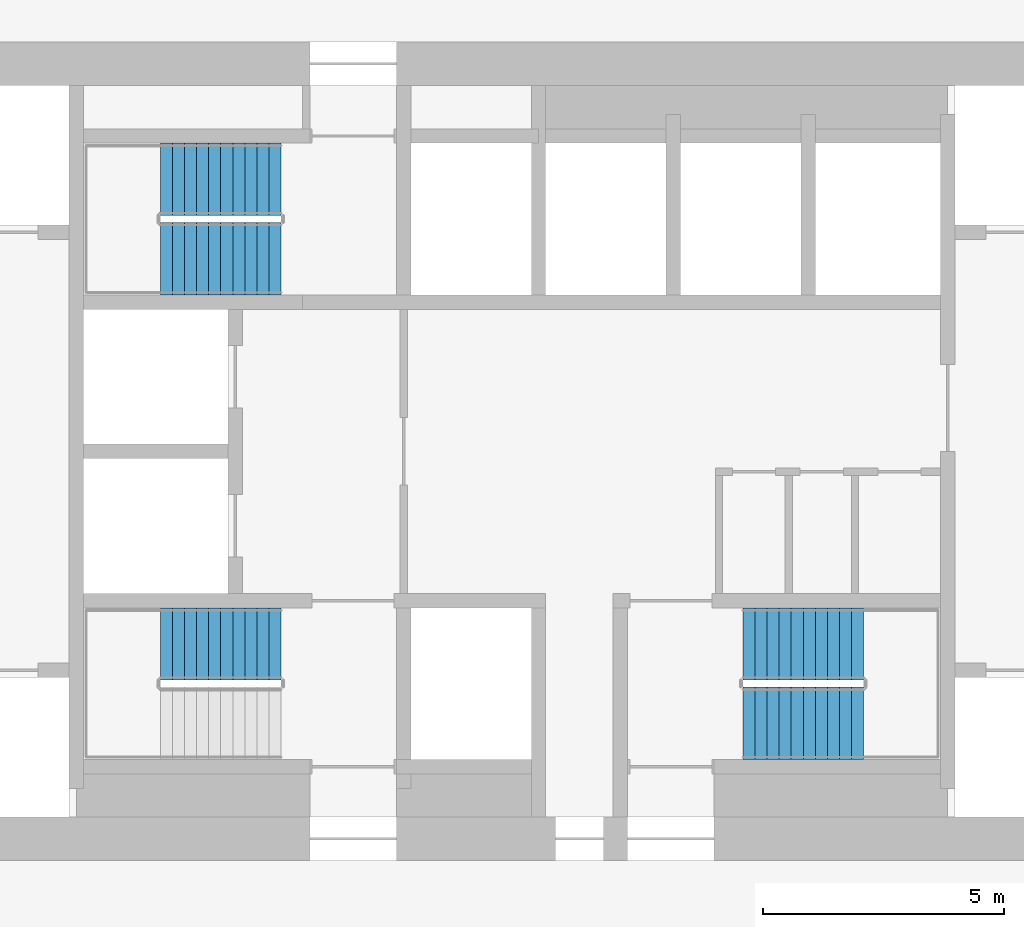
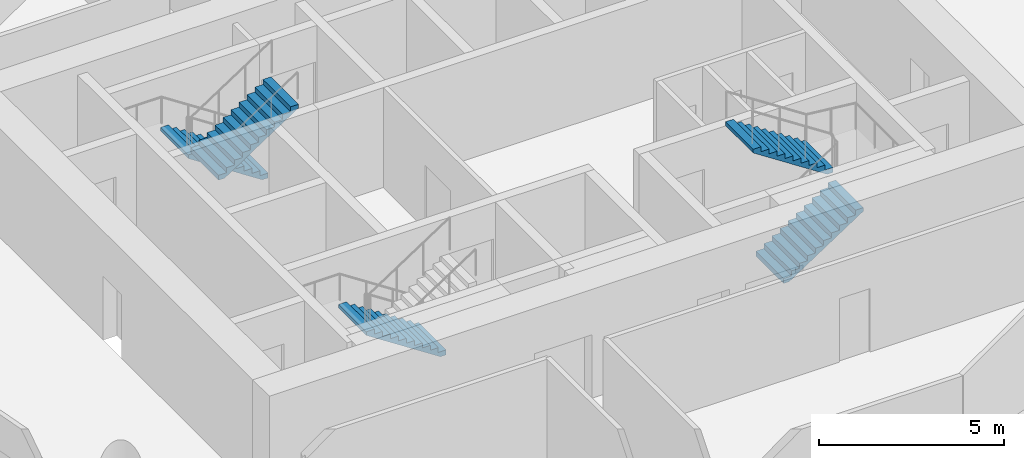
# One storey, part 8 of 9: 5 stair flights, 3 elements without a shape of their own.
"""IFC4 building model written with IfcOpenShell, lengths in metres."""

from ifc_helpers import new_model, si_unit, direction, frame, origin, place, context, subcontext, project, spatial, polyline, outline, extrude, material, type_object, element, aggregate, save


model = new_model("IFC4")

# Units and contexts
model_context = context("Model", 3, precision=1e-05, world=origin(), true_north=direction((0.0, 1.0)))
body_context = subcontext(model_context, "Body", "Model", "MODEL_VIEW")
ifc_project = project(units=[si_unit("LENGTHUNIT", "METRE"), si_unit("AREAUNIT", "SQUARE_METRE"), si_unit("VOLUMEUNIT", "CUBIC_METRE"), si_unit("PLANEANGLEUNIT", "RADIAN"), si_unit("MASSUNIT", "GRAM", prefix="KILO")], contexts=[model_context])

# Site, building, storey
site_placement = place(None, origin())
site = spatial("IfcSite", under=ifc_project, at=site_placement, CompositionType="ELEMENT")
building_placement = place(site_placement, origin())
building = spatial("IfcBuilding", under=site, at=building_placement, Name="Tracery Tower", CompositionType="ELEMENT")
storey_placement = place(building_placement, frame((0.0, 0.0, 205.199951171875)))
storey = spatial("IfcBuildingStorey", under=building, at=storey_placement, Name="L53", CompositionType="ELEMENT", Elevation=205.199951171875)

# Stair, stair flight
ifc_material_1 = material(Name="Concrete C32/40", Category="concrete")
stair_type = type_object("IfcStairType", Name="Core stair 22 risers", PredefinedType="HALF_TURN_STAIR", material=ifc_material_1)
stair_1_placement = place(storey_placement, origin())
stair_1 = element("IfcStair", 1, at=stair_1_placement, inside=storey, type_object=stair_type, Name="L53 stair ST1", PredefinedType="HALF_TURN_STAIR")
ifc_material_2 = material(Name="Concrete C32/40", Category="concrete")
stair_flight_type = type_object("IfcStairFlightType", Name="Core stair flight 11 risers", PredefinedType="STRAIGHT", material=ifc_material_2)
stair_flight_1_placement = place(storey_placement, frame((-4.800048828125, -4.0, 0.0), z_axis=(0.0, 0.0, 1.0), x_axis=(-1.0, 0.0, 0.0)))
stair_flight_1 = element("IfcStairFlight", 2, at=stair_flight_1_placement, type_object=stair_flight_type, Name="ST1 flight 1", NumberOfRisers=11, NumberOfTreads=10, PredefinedType="STRAIGHT", RiserHeight=0.163636364, TreadLength=0.25, context=body_context, shape_type="SweptSolid", body=[
    extrude(outline(polyline([(0.0, 0.0), (0.0, 0.002685546875), (0.0, 0.00537109375), (0.0, 0.008056640625), (0.0, 0.0107421875), (0.0, 0.013427734375), (0.0, 0.01611328125), (0.0, 0.018798828125), (0.0, 0.021484375), (0.0, 0.024169921875), (0.0, 0.02685546875), (0.0, 0.029541015625), (0.0, 0.0322265625), (0.0, 0.034912109375), (0.0, 0.03759765625), (0.0, 0.040283203125), (0.0, 0.04296875), (0.0, 0.045654296875), (0.0, 0.04833984375), (0.0, 0.051025390625), (0.0, 0.0537109375), (0.0, 0.056396484375), (0.0, 0.05908203125), (0.0, 0.061767578125), (0.0, 0.064453125), (0.0, 0.067138671875), (0.0, 0.06982421875), (0.0, 0.072509765625), (0.0, 0.0751953125), (0.0, 0.077880859375), (0.0, 0.08056640625), (0.0, 0.083251953125), (0.0, 0.0859375), (0.0, 0.088623046875), (0.0, 0.09130859375), (0.0, 0.093994140625), (0.0, 0.0966796875), (0.0, 0.099365234375), (0.0, 0.10205078125), (0.0, 0.104736328125), (0.0, 0.107421875), (0.0, 0.10986328125), (0.0, 0.112548828125), (0.0, 0.115234375), (0.0, 0.117919921875), (0.0, 0.12060546875), (0.0, 0.123291015625), (0.0, 0.1259765625), (0.0, 0.128662109375), (0.0, 0.13134765625), (0.0, 0.134033203125), (0.0, 0.13671875), (0.0, 0.139404296875), (0.0, 0.14208984375), (0.0, 0.144775390625), (0.0, 0.1474609375), (0.0, 0.150146484375), (0.0, 0.15283203125), (0.0, 0.155517578125), (0.0, 0.158203125), (0.0, 0.160888671875), (0.0, 0.16357421875), (0.25, 0.16357421875), (0.25, 0.327392578125), (0.5, 0.327392578125), (0.5, 0.490966796875), (0.75, 0.490966796875), (0.75, 0.654541015625), (1.0, 0.654541015625), (1.0, 0.818115234375), (1.25, 0.818115234375), (1.25, 0.98193359375), (1.5, 0.98193359375), (1.5, 1.1455078125), (1.75, 1.1455078125), (1.75, 1.30908203125), (2.0, 1.30908203125), (2.0, 1.47265625), (2.25, 1.47265625), (2.25, 1.636474609375), (2.5, 1.636474609375), (2.5, 1.634521484375), (2.5, 1.63232421875), (2.5, 1.63037109375), (2.5, 1.62841796875), (2.5, 1.62646484375), (2.5, 1.62451171875), (2.5, 1.62255859375), (2.5, 1.62060546875), (2.5, 1.61865234375), (2.5, 1.61669921875), (2.5, 1.61474609375), (2.5, 1.61279296875), (2.5, 1.61083984375), (2.5, 1.60888671875), (2.5, 1.60693359375), (2.5, 1.60498046875), (2.5, 1.60302734375), (2.5, 1.60107421875), (2.5, 1.59912109375), (2.5, 1.59716796875), (2.5, 1.59521484375), (2.5, 1.59326171875), (2.5, 1.59130859375), (2.5, 1.58935546875), (2.5, 1.58740234375), (2.5, 1.58544921875), (2.5, 1.58349609375), (2.5, 1.58154296875), (2.5, 1.57958984375), (2.5, 1.57763671875), (2.5, 1.57568359375), (2.5, 1.573486328125), (2.5, 1.571533203125), (2.5, 1.569580078125), (2.5, 1.567626953125), (2.5, 1.565673828125), (2.5, 1.563720703125), (2.5, 1.561767578125), (2.5, 1.559814453125), (2.5, 1.557861328125), (2.5, 1.555908203125), (2.5, 1.553955078125), (2.5, 1.552001953125), (2.5, 1.550048828125), (2.5, 1.548095703125), (2.5, 1.546142578125), (2.5, 1.544189453125), (2.5, 1.542236328125), (2.5, 1.540283203125), (2.5, 1.538330078125), (2.5, 1.536376953125), (2.5, 1.534423828125), (2.5, 1.532470703125), (2.5, 1.530517578125), (2.5, 1.528564453125), (2.5, 1.526611328125), (2.5, 1.524658203125), (2.5, 1.522705078125), (2.5, 1.520751953125), (2.5, 1.518798828125), (2.5, 1.516845703125), (0.182861328125, 0.0), (0.0, 0.0)])), frame((0.0, 0.75, 0.0), z_axis=(0.0, -1.0, 0.0), x_axis=(1.0, 0.0, 0.0)), (0.0, 0.0, 1.0), 1.5),
])
aggregate(stair_1, [stair_flight_1])

# Stair, stair flights
stair_2_placement = place(storey_placement, origin())
stair_2 = element("IfcStair", 3, at=stair_2_placement, inside=storey, type_object=stair_type, Name="L53 stair ST3", PredefinedType="HALF_TURN_STAIR")
stair_flight_2_placement = place(storey_placement, frame((-4.800048828125, 5.64990234375, 0.0), z_axis=(0.0, 0.0, 1.0), x_axis=(-1.0, 0.0, 0.0)))
stair_flight_2 = element("IfcStairFlight", 4, at=stair_flight_2_placement, type_object=stair_flight_type, Name="ST3 flight 1", NumberOfRisers=11, NumberOfTreads=10, PredefinedType="STRAIGHT", RiserHeight=0.163636364, TreadLength=0.25, context=body_context, shape_type="SweptSolid", body=[
    extrude(outline(polyline([(0.0, 0.0), (0.0, 0.002685546875), (0.0, 0.00537109375), (0.0, 0.008056640625), (0.0, 0.0107421875), (0.0, 0.013427734375), (0.0, 0.01611328125), (0.0, 0.018798828125), (0.0, 0.021484375), (0.0, 0.024169921875), (0.0, 0.02685546875), (0.0, 0.029541015625), (0.0, 0.0322265625), (0.0, 0.034912109375), (0.0, 0.03759765625), (0.0, 0.040283203125), (0.0, 0.04296875), (0.0, 0.045654296875), (0.0, 0.04833984375), (0.0, 0.051025390625), (0.0, 0.0537109375), (0.0, 0.056396484375), (0.0, 0.05908203125), (0.0, 0.061767578125), (0.0, 0.064453125), (0.0, 0.067138671875), (0.0, 0.06982421875), (0.0, 0.072509765625), (0.0, 0.0751953125), (0.0, 0.077880859375), (0.0, 0.08056640625), (0.0, 0.083251953125), (0.0, 0.0859375), (0.0, 0.088623046875), (0.0, 0.09130859375), (0.0, 0.093994140625), (0.0, 0.0966796875), (0.0, 0.099365234375), (0.0, 0.10205078125), (0.0, 0.104736328125), (0.0, 0.107421875), (0.0, 0.10986328125), (0.0, 0.112548828125), (0.0, 0.115234375), (0.0, 0.117919921875), (0.0, 0.12060546875), (0.0, 0.123291015625), (0.0, 0.1259765625), (0.0, 0.128662109375), (0.0, 0.13134765625), (0.0, 0.134033203125), (0.0, 0.13671875), (0.0, 0.139404296875), (0.0, 0.14208984375), (0.0, 0.144775390625), (0.0, 0.1474609375), (0.0, 0.150146484375), (0.0, 0.15283203125), (0.0, 0.155517578125), (0.0, 0.158203125), (0.0, 0.160888671875), (0.0, 0.16357421875), (0.25, 0.16357421875), (0.25, 0.327392578125), (0.5, 0.327392578125), (0.5, 0.490966796875), (0.75, 0.490966796875), (0.75, 0.654541015625), (1.0, 0.654541015625), (1.0, 0.818115234375), (1.25, 0.818115234375), (1.25, 0.98193359375), (1.5, 0.98193359375), (1.5, 1.1455078125), (1.75, 1.1455078125), (1.75, 1.30908203125), (2.0, 1.30908203125), (2.0, 1.47265625), (2.25, 1.47265625), (2.25, 1.636474609375), (2.5, 1.636474609375), (2.5, 1.634521484375), (2.5, 1.63232421875), (2.5, 1.63037109375), (2.5, 1.62841796875), (2.5, 1.62646484375), (2.5, 1.62451171875), (2.5, 1.62255859375), (2.5, 1.62060546875), (2.5, 1.61865234375), (2.5, 1.61669921875), (2.5, 1.61474609375), (2.5, 1.61279296875), (2.5, 1.61083984375), (2.5, 1.60888671875), (2.5, 1.60693359375), (2.5, 1.60498046875), (2.5, 1.60302734375), (2.5, 1.60107421875), (2.5, 1.59912109375), (2.5, 1.59716796875), (2.5, 1.59521484375), (2.5, 1.59326171875), (2.5, 1.59130859375), (2.5, 1.58935546875), (2.5, 1.58740234375), (2.5, 1.58544921875), (2.5, 1.58349609375), (2.5, 1.58154296875), (2.5, 1.57958984375), (2.5, 1.57763671875), (2.5, 1.57568359375), (2.5, 1.573486328125), (2.5, 1.571533203125), (2.5, 1.569580078125), (2.5, 1.567626953125), (2.5, 1.565673828125), (2.5, 1.563720703125), (2.5, 1.561767578125), (2.5, 1.559814453125), (2.5, 1.557861328125), (2.5, 1.555908203125), (2.5, 1.553955078125), (2.5, 1.552001953125), (2.5, 1.550048828125), (2.5, 1.548095703125), (2.5, 1.546142578125), (2.5, 1.544189453125), (2.5, 1.542236328125), (2.5, 1.540283203125), (2.5, 1.538330078125), (2.5, 1.536376953125), (2.5, 1.534423828125), (2.5, 1.532470703125), (2.5, 1.530517578125), (2.5, 1.528564453125), (2.5, 1.526611328125), (2.5, 1.524658203125), (2.5, 1.522705078125), (2.5, 1.520751953125), (2.5, 1.518798828125), (2.5, 1.516845703125), (0.182861328125, 0.0), (0.0, 0.0)])), frame((0.0, 0.75, 0.0), z_axis=(0.0, -1.0, 0.0), x_axis=(1.0, 0.0, 0.0)), (0.0, 0.0, 1.0), 1.5),
])
stair_flight_3_placement = place(storey_placement, frame((-7.300048828125, 4.0, 1.800048828125), z_axis=(0.0, 0.0, 1.0), x_axis=(1.0, 0.0, 0.0)))
stair_flight_3 = element("IfcStairFlight", 5, at=stair_flight_3_placement, type_object=stair_flight_type, Name="ST3 flight 2", NumberOfRisers=11, NumberOfTreads=10, PredefinedType="STRAIGHT", RiserHeight=0.163636364, TreadLength=0.25, context=body_context, shape_type="SweptSolid", body=[
    extrude(outline(polyline([(0.0, 0.0), (0.0, 0.002685546875), (0.0, 0.00537109375), (0.0, 0.008056640625), (0.0, 0.0107421875), (0.0, 0.013427734375), (0.0, 0.01611328125), (0.0, 0.018798828125), (0.0, 0.021484375), (0.0, 0.024169921875), (0.0, 0.02685546875), (0.0, 0.029541015625), (0.0, 0.0322265625), (0.0, 0.034912109375), (0.0, 0.03759765625), (0.0, 0.040283203125), (0.0, 0.04296875), (0.0, 0.045654296875), (0.0, 0.04833984375), (0.0, 0.051025390625), (0.0, 0.0537109375), (0.0, 0.056396484375), (0.0, 0.05908203125), (0.0, 0.061767578125), (0.0, 0.064453125), (0.0, 0.067138671875), (0.0, 0.06982421875), (0.0, 0.072509765625), (0.0, 0.0751953125), (0.0, 0.077880859375), (0.0, 0.08056640625), (0.0, 0.083251953125), (0.0, 0.0859375), (0.0, 0.088623046875), (0.0, 0.09130859375), (0.0, 0.093994140625), (0.0, 0.0966796875), (0.0, 0.099365234375), (0.0, 0.10205078125), (0.0, 0.104736328125), (0.0, 0.107421875), (0.0, 0.10986328125), (0.0, 0.112548828125), (0.0, 0.115234375), (0.0, 0.117919921875), (0.0, 0.12060546875), (0.0, 0.123291015625), (0.0, 0.1259765625), (0.0, 0.128662109375), (0.0, 0.13134765625), (0.0, 0.134033203125), (0.0, 0.13671875), (0.0, 0.139404296875), (0.0, 0.14208984375), (0.0, 0.144775390625), (0.0, 0.1474609375), (0.0, 0.150146484375), (0.0, 0.15283203125), (0.0, 0.155517578125), (0.0, 0.158203125), (0.0, 0.160888671875), (0.0, 0.16357421875), (0.25, 0.16357421875), (0.25, 0.327392578125), (0.5, 0.327392578125), (0.5, 0.490966796875), (0.75, 0.490966796875), (0.75, 0.654541015625), (1.0, 0.654541015625), (1.0, 0.818115234375), (1.25, 0.818115234375), (1.25, 0.98193359375), (1.5, 0.98193359375), (1.5, 1.1455078125), (1.75, 1.1455078125), (1.75, 1.30908203125), (2.0, 1.30908203125), (2.0, 1.47265625), (2.25, 1.47265625), (2.25, 1.636474609375), (2.5, 1.636474609375), (2.5, 1.634521484375), (2.5, 1.63232421875), (2.5, 1.63037109375), (2.5, 1.62841796875), (2.5, 1.62646484375), (2.5, 1.62451171875), (2.5, 1.62255859375), (2.5, 1.62060546875), (2.5, 1.61865234375), (2.5, 1.61669921875), (2.5, 1.61474609375), (2.5, 1.61279296875), (2.5, 1.61083984375), (2.5, 1.60888671875), (2.5, 1.60693359375), (2.5, 1.60498046875), (2.5, 1.60302734375), (2.5, 1.60107421875), (2.5, 1.59912109375), (2.5, 1.59716796875), (2.5, 1.59521484375), (2.5, 1.59326171875), (2.5, 1.59130859375), (2.5, 1.58935546875), (2.5, 1.58740234375), (2.5, 1.58544921875), (2.5, 1.58349609375), (2.5, 1.58154296875), (2.5, 1.57958984375), (2.5, 1.57763671875), (2.5, 1.57568359375), (2.5, 1.573486328125), (2.5, 1.571533203125), (2.5, 1.569580078125), (2.5, 1.567626953125), (2.5, 1.565673828125), (2.5, 1.563720703125), (2.5, 1.561767578125), (2.5, 1.559814453125), (2.5, 1.557861328125), (2.5, 1.555908203125), (2.5, 1.553955078125), (2.5, 1.552001953125), (2.5, 1.550048828125), (2.5, 1.548095703125), (2.5, 1.546142578125), (2.5, 1.544189453125), (2.5, 1.542236328125), (2.5, 1.540283203125), (2.5, 1.538330078125), (2.5, 1.536376953125), (2.5, 1.534423828125), (2.5, 1.532470703125), (2.5, 1.530517578125), (2.5, 1.528564453125), (2.5, 1.526611328125), (2.5, 1.524658203125), (2.5, 1.522705078125), (2.5, 1.520751953125), (2.5, 1.518798828125), (2.5, 1.516845703125), (0.182861328125, 0.0), (0.0, 0.0)])), frame((0.0, 0.75, 0.0), z_axis=(0.0, -1.0, 0.0), x_axis=(1.0, 0.0, 0.0)), (0.0, 0.0, 1.0), 1.5),
])
aggregate(stair_2, [stair_flight_2, stair_flight_3])

stair_3_placement = place(storey_placement, origin())
stair_3 = element("IfcStair", 6, at=stair_3_placement, inside=storey, type_object=stair_type, Name="L53 stair ST2", PredefinedType="HALF_TURN_STAIR")
stair_flight_4_placement = place(storey_placement, frame((4.800048828125, -5.64990234375, 0.0), z_axis=(0.0, 0.0, 1.0), x_axis=(1.0, 0.0, 0.0)))
stair_flight_4 = element("IfcStairFlight", 7, at=stair_flight_4_placement, type_object=stair_flight_type, Name="ST2 flight 1", NumberOfRisers=11, NumberOfTreads=10, PredefinedType="STRAIGHT", RiserHeight=0.163636364, TreadLength=0.25, context=body_context, shape_type="SweptSolid", body=[
    extrude(outline(polyline([(0.0, 0.0), (0.0, 0.002685546875), (0.0, 0.00537109375), (0.0, 0.008056640625), (0.0, 0.0107421875), (0.0, 0.013427734375), (0.0, 0.01611328125), (0.0, 0.018798828125), (0.0, 0.021484375), (0.0, 0.024169921875), (0.0, 0.02685546875), (0.0, 0.029541015625), (0.0, 0.0322265625), (0.0, 0.034912109375), (0.0, 0.03759765625), (0.0, 0.040283203125), (0.0, 0.04296875), (0.0, 0.045654296875), (0.0, 0.04833984375), (0.0, 0.051025390625), (0.0, 0.0537109375), (0.0, 0.056396484375), (0.0, 0.05908203125), (0.0, 0.061767578125), (0.0, 0.064453125), (0.0, 0.067138671875), (0.0, 0.06982421875), (0.0, 0.072509765625), (0.0, 0.0751953125), (0.0, 0.077880859375), (0.0, 0.08056640625), (0.0, 0.083251953125), (0.0, 0.0859375), (0.0, 0.088623046875), (0.0, 0.09130859375), (0.0, 0.093994140625), (0.0, 0.0966796875), (0.0, 0.099365234375), (0.0, 0.10205078125), (0.0, 0.104736328125), (0.0, 0.107421875), (0.0, 0.10986328125), (0.0, 0.112548828125), (0.0, 0.115234375), (0.0, 0.117919921875), (0.0, 0.12060546875), (0.0, 0.123291015625), (0.0, 0.1259765625), (0.0, 0.128662109375), (0.0, 0.13134765625), (0.0, 0.134033203125), (0.0, 0.13671875), (0.0, 0.139404296875), (0.0, 0.14208984375), (0.0, 0.144775390625), (0.0, 0.1474609375), (0.0, 0.150146484375), (0.0, 0.15283203125), (0.0, 0.155517578125), (0.0, 0.158203125), (0.0, 0.160888671875), (0.0, 0.16357421875), (0.25, 0.16357421875), (0.25, 0.327392578125), (0.5, 0.327392578125), (0.5, 0.490966796875), (0.75, 0.490966796875), (0.75, 0.654541015625), (1.0, 0.654541015625), (1.0, 0.818115234375), (1.25, 0.818115234375), (1.25, 0.98193359375), (1.5, 0.98193359375), (1.5, 1.1455078125), (1.75, 1.1455078125), (1.75, 1.30908203125), (2.0, 1.30908203125), (2.0, 1.47265625), (2.25, 1.47265625), (2.25, 1.636474609375), (2.5, 1.636474609375), (2.5, 1.634521484375), (2.5, 1.63232421875), (2.5, 1.63037109375), (2.5, 1.62841796875), (2.5, 1.62646484375), (2.5, 1.62451171875), (2.5, 1.62255859375), (2.5, 1.62060546875), (2.5, 1.61865234375), (2.5, 1.61669921875), (2.5, 1.61474609375), (2.5, 1.61279296875), (2.5, 1.61083984375), (2.5, 1.60888671875), (2.5, 1.60693359375), (2.5, 1.60498046875), (2.5, 1.60302734375), (2.5, 1.60107421875), (2.5, 1.59912109375), (2.5, 1.59716796875), (2.5, 1.59521484375), (2.5, 1.59326171875), (2.5, 1.59130859375), (2.5, 1.58935546875), (2.5, 1.58740234375), (2.5, 1.58544921875), (2.5, 1.58349609375), (2.5, 1.58154296875), (2.5, 1.57958984375), (2.5, 1.57763671875), (2.5, 1.57568359375), (2.5, 1.573486328125), (2.5, 1.571533203125), (2.5, 1.569580078125), (2.5, 1.567626953125), (2.5, 1.565673828125), (2.5, 1.563720703125), (2.5, 1.561767578125), (2.5, 1.559814453125), (2.5, 1.557861328125), (2.5, 1.555908203125), (2.5, 1.553955078125), (2.5, 1.552001953125), (2.5, 1.550048828125), (2.5, 1.548095703125), (2.5, 1.546142578125), (2.5, 1.544189453125), (2.5, 1.542236328125), (2.5, 1.540283203125), (2.5, 1.538330078125), (2.5, 1.536376953125), (2.5, 1.534423828125), (2.5, 1.532470703125), (2.5, 1.530517578125), (2.5, 1.528564453125), (2.5, 1.526611328125), (2.5, 1.524658203125), (2.5, 1.522705078125), (2.5, 1.520751953125), (2.5, 1.518798828125), (2.5, 1.516845703125), (0.182861328125, 0.0), (0.0, 0.0)])), frame((0.0, 0.75, 0.0), z_axis=(0.0, -1.0, 0.0), x_axis=(1.0, 0.0, 0.0)), (0.0, 0.0, 1.0), 1.5),
])
stair_flight_5_placement = place(storey_placement, frame((7.300048828125, -4.0, 1.800048828125), z_axis=(0.0, 0.0, 1.0), x_axis=(-1.0, 0.0, 0.0)))
stair_flight_5 = element("IfcStairFlight", 8, at=stair_flight_5_placement, type_object=stair_flight_type, Name="ST2 flight 2", NumberOfRisers=11, NumberOfTreads=10, PredefinedType="STRAIGHT", RiserHeight=0.163636364, TreadLength=0.25, context=body_context, shape_type="SweptSolid", body=[
    extrude(outline(polyline([(0.0, 0.0), (0.0, 0.002685546875), (0.0, 0.00537109375), (0.0, 0.008056640625), (0.0, 0.0107421875), (0.0, 0.013427734375), (0.0, 0.01611328125), (0.0, 0.018798828125), (0.0, 0.021484375), (0.0, 0.024169921875), (0.0, 0.02685546875), (0.0, 0.029541015625), (0.0, 0.0322265625), (0.0, 0.034912109375), (0.0, 0.03759765625), (0.0, 0.040283203125), (0.0, 0.04296875), (0.0, 0.045654296875), (0.0, 0.04833984375), (0.0, 0.051025390625), (0.0, 0.0537109375), (0.0, 0.056396484375), (0.0, 0.05908203125), (0.0, 0.061767578125), (0.0, 0.064453125), (0.0, 0.067138671875), (0.0, 0.06982421875), (0.0, 0.072509765625), (0.0, 0.0751953125), (0.0, 0.077880859375), (0.0, 0.08056640625), (0.0, 0.083251953125), (0.0, 0.0859375), (0.0, 0.088623046875), (0.0, 0.09130859375), (0.0, 0.093994140625), (0.0, 0.0966796875), (0.0, 0.099365234375), (0.0, 0.10205078125), (0.0, 0.104736328125), (0.0, 0.107421875), (0.0, 0.10986328125), (0.0, 0.112548828125), (0.0, 0.115234375), (0.0, 0.117919921875), (0.0, 0.12060546875), (0.0, 0.123291015625), (0.0, 0.1259765625), (0.0, 0.128662109375), (0.0, 0.13134765625), (0.0, 0.134033203125), (0.0, 0.13671875), (0.0, 0.139404296875), (0.0, 0.14208984375), (0.0, 0.144775390625), (0.0, 0.1474609375), (0.0, 0.150146484375), (0.0, 0.15283203125), (0.0, 0.155517578125), (0.0, 0.158203125), (0.0, 0.160888671875), (0.0, 0.16357421875), (0.25, 0.16357421875), (0.25, 0.327392578125), (0.5, 0.327392578125), (0.5, 0.490966796875), (0.75, 0.490966796875), (0.75, 0.654541015625), (1.0, 0.654541015625), (1.0, 0.818115234375), (1.25, 0.818115234375), (1.25, 0.98193359375), (1.5, 0.98193359375), (1.5, 1.1455078125), (1.75, 1.1455078125), (1.75, 1.30908203125), (2.0, 1.30908203125), (2.0, 1.47265625), (2.25, 1.47265625), (2.25, 1.636474609375), (2.5, 1.636474609375), (2.5, 1.634521484375), (2.5, 1.63232421875), (2.5, 1.63037109375), (2.5, 1.62841796875), (2.5, 1.62646484375), (2.5, 1.62451171875), (2.5, 1.62255859375), (2.5, 1.62060546875), (2.5, 1.61865234375), (2.5, 1.61669921875), (2.5, 1.61474609375), (2.5, 1.61279296875), (2.5, 1.61083984375), (2.5, 1.60888671875), (2.5, 1.60693359375), (2.5, 1.60498046875), (2.5, 1.60302734375), (2.5, 1.60107421875), (2.5, 1.59912109375), (2.5, 1.59716796875), (2.5, 1.59521484375), (2.5, 1.59326171875), (2.5, 1.59130859375), (2.5, 1.58935546875), (2.5, 1.58740234375), (2.5, 1.58544921875), (2.5, 1.58349609375), (2.5, 1.58154296875), (2.5, 1.57958984375), (2.5, 1.57763671875), (2.5, 1.57568359375), (2.5, 1.573486328125), (2.5, 1.571533203125), (2.5, 1.569580078125), (2.5, 1.567626953125), (2.5, 1.565673828125), (2.5, 1.563720703125), (2.5, 1.561767578125), (2.5, 1.559814453125), (2.5, 1.557861328125), (2.5, 1.555908203125), (2.5, 1.553955078125), (2.5, 1.552001953125), (2.5, 1.550048828125), (2.5, 1.548095703125), (2.5, 1.546142578125), (2.5, 1.544189453125), (2.5, 1.542236328125), (2.5, 1.540283203125), (2.5, 1.538330078125), (2.5, 1.536376953125), (2.5, 1.534423828125), (2.5, 1.532470703125), (2.5, 1.530517578125), (2.5, 1.528564453125), (2.5, 1.526611328125), (2.5, 1.524658203125), (2.5, 1.522705078125), (2.5, 1.520751953125), (2.5, 1.518798828125), (2.5, 1.516845703125), (0.182861328125, 0.0), (0.0, 0.0)])), frame((0.0, 0.75, 0.0), z_axis=(0.0, -1.0, 0.0), x_axis=(1.0, 0.0, 0.0)), (0.0, 0.0, 1.0), 1.5),
])
aggregate(stair_3, [stair_flight_4, stair_flight_5])

save(model, "model.ifc")
